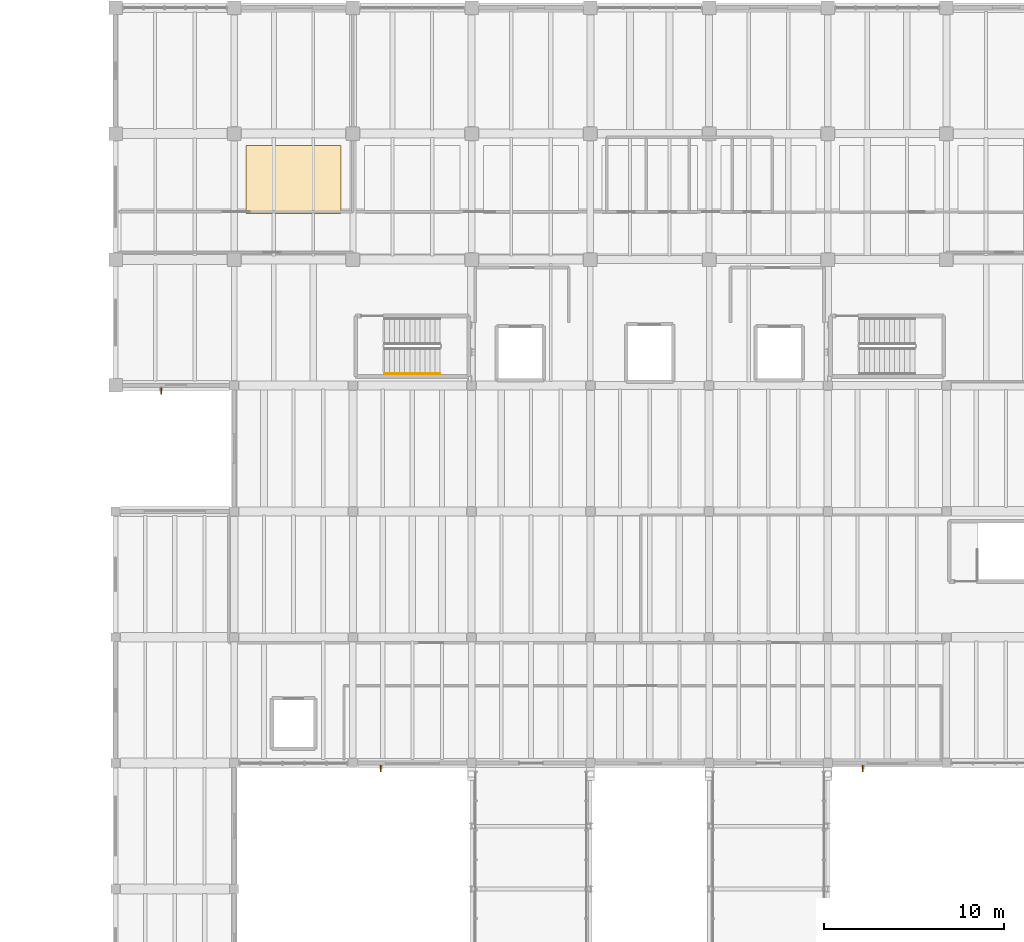
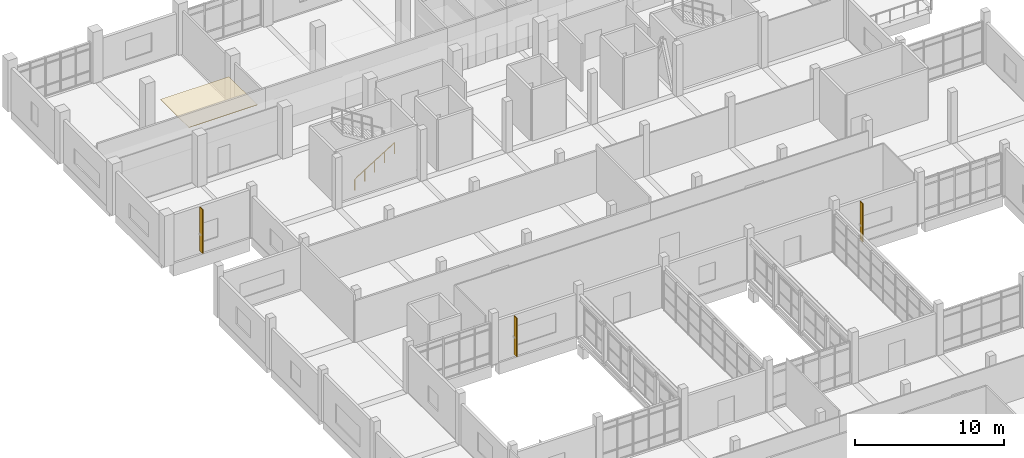
# One storey, part 62 of 65: 3 shading devices, 1 covering, 1 railing.
"""IFC4 building model written with IfcOpenShell, lengths in metres."""

import ifcopenshell
import ifcopenshell.guid

model = None  # the IFC model being written
_history = None  # IfcOwnerHistory: only IFC2X3 demands one
_inside = {}  # id of a spatial element -> (the spatial element, [elements in it])
_under = {}  # id of a project, library or spatial element -> (it, [spatial elements below it])
_declared = {}  # id of a project -> (the project, [libraries it declares])
_typed = {}  # id of a type object -> (the type object, [elements of that type])
_made_of = {}  # id of a material, layer set ... -> (it, [elements and type objects made of it])


def new_model(schema):
    """Start an empty IFC model of exactly this schema.

    Asked for "IFC4X3", IfcOpenShell would pick the latest addendum, in which some entities
    have other attributes; the version numbers below select the first issue.
    IFC2X3 requires an IfcOwnerHistory on every rooted entity: one is made here for all.
    """
    global model, _history
    if schema == "IFC4X3":
        model = ifcopenshell.file(schema_version=(4, 3, 0, 0))
    else:
        model = ifcopenshell.file(schema=schema)
    _inside.clear()
    _under.clear()
    _declared.clear()
    _typed.clear()
    _made_of.clear()
    _history = None
    if model.schema == "IFC2X3":
        org = make("IfcOrganization", Name="unknown")
        user = make(
            "IfcPersonAndOrganization",
            ThePerson=make("IfcPerson", FamilyName="unknown"),
            TheOrganization=org,
        )
        app = make(
            "IfcApplication",
            ApplicationDeveloper=org,
            Version="unknown",
            ApplicationFullName="unknown",
            ApplicationIdentifier="unknown",
        )
        _history = make(
            "IfcOwnerHistory",
            OwningUser=user,
            OwningApplication=app,
            ChangeAction="ADDED",
            CreationDate=0,
        )
    return model


def make(cls, **values):
    """One entity of the class cls with the attributes given. An attribute that is None is left unset."""
    return model.create_entity(
        cls, **{name: value for name, value in values.items() if value is not None}
    )


def rooted(cls, **values):
    """An entity with a GlobalId (a new one), such as an element, a storey or a relation."""
    return make(cls, GlobalId=ifcopenshell.guid.new(), OwnerHistory=_history, **values)


def si_unit(unit_type, name, prefix=None):
    """IfcSIUnit, for example si_unit("LENGTHUNIT", "METRE", prefix="MILLI")."""
    return make("IfcSIUnit", UnitType=unit_type, Prefix=prefix, Name=name)


def assignment(units):
    """IfcUnitAssignment: the units of a project."""
    return None if units is None else make("IfcUnitAssignment", Units=units)


def point(xyz):
    """IfcCartesianPoint."""
    return None if xyz is None else make("IfcCartesianPoint", Coordinates=xyz)


def direction(xyz):
    """IfcDirection."""
    return None if xyz is None else make("IfcDirection", DirectionRatios=xyz)


def frame(location, z_axis=None, x_axis=None):
    """IfcAxis2Placement3D, a coordinate frame: its origin and axes. An axis left out is left unset."""
    return make(
        "IfcAxis2Placement3D",
        Location=point(location),
        Axis=direction(z_axis),
        RefDirection=direction(x_axis),
    )


def frame_2d(location, x_axis=None):
    """IfcAxis2Placement2D, a coordinate frame in the plane: its origin and x axis."""
    return make(
        "IfcAxis2Placement2D", Location=point(location), RefDirection=direction(x_axis)
    )


def origin():
    """The frame at (0, 0, 0) with its axes left unset."""
    return frame((0.0, 0.0, 0.0))


def origin_2d():
    """The frame at (0, 0) in the plane with its x axis left unset."""
    return frame_2d((0.0, 0.0))


def place(relative_to, where):
    """IfcLocalPlacement: puts the frame where relative to a parent placement (None: the world)."""
    return make(
        "IfcLocalPlacement", PlacementRelTo=relative_to, RelativePlacement=where
    )


def context(
    kind, dimensions, precision=None, world=None, true_north=None, identifier=None
):
    """IfcGeometricRepresentationContext, for example the 3D "Model" context."""
    return make(
        "IfcGeometricRepresentationContext",
        ContextIdentifier=identifier,
        ContextType=kind,
        CoordinateSpaceDimension=dimensions,
        Precision=precision,
        WorldCoordinateSystem=world,
        TrueNorth=true_north,
    )


def subcontext(parent, identifier, kind, view, scale=None):
    """IfcGeometricRepresentationSubContext, for example "Body" below "Model"."""
    return make(
        "IfcGeometricRepresentationSubContext",
        ContextIdentifier=identifier,
        ContextType=kind,
        ParentContext=parent,
        TargetScale=scale,
        TargetView=view,
    )


def project(units=None, contexts=None):
    """IfcProject with its units and contexts."""
    return rooted(
        "IfcProject",
        Name="project",
        RepresentationContexts=contexts,
        UnitsInContext=assignment(units),
    )


def spatial(cls, under=None, at=None, **own):
    """A site, building, storey or space (cls), placed at a placement, below another one or the project."""
    s = rooted(cls, ObjectPlacement=at, **own)
    if under is not None:
        _under.setdefault(under.id(), (under, []))[1].append(s)
    return s


def polyline(points):
    """IfcPolyline through the points."""
    return make("IfcPolyline", Points=[point(p) for p in points])


def profile(cls, at=None, kind="AREA", **sizes):
    """A parametric profile (cls). Its sizes go by their IFC names, for example OverallWidth=200.0."""
    return make(cls, ProfileType=kind, Position=at, **sizes)


def rectangle(**sizes):
    """IfcRectangleProfileDef."""
    return profile("IfcRectangleProfileDef", **sizes)


def circle(**sizes):
    """IfcCircleProfileDef."""
    return profile("IfcCircleProfileDef", **sizes)


def outline(outer, holes=None, kind="AREA"):
    """IfcArbitraryClosedProfileDef: a profile drawn as a closed curve; with holes, ...WithVoids."""
    if holes is None:
        return make("IfcArbitraryClosedProfileDef", ProfileType=kind, OuterCurve=outer)
    return make(
        "IfcArbitraryProfileDefWithVoids",
        ProfileType=kind,
        OuterCurve=outer,
        InnerCurves=holes,
    )


def extrude(swept, where, along, depth):
    """IfcExtrudedAreaSolid: the profile swept, set in the frame where, extruded along a direction by depth."""
    return make(
        "IfcExtrudedAreaSolid",
        SweptArea=swept,
        Position=where,
        ExtrudedDirection=direction(along),
        Depth=depth,
    )


def shape(context_of_items, identifier, shape_type, items):
    """IfcShapeRepresentation: the items that make up one representation, for example the "Body"."""
    return make(
        "IfcShapeRepresentation",
        ContextOfItems=context_of_items,
        RepresentationIdentifier=identifier,
        RepresentationType=shape_type,
        Items=items,
    )


def material(Name=None, Category=None):
    """IfcMaterial."""
    return make("IfcMaterial", Name=Name, Category=Category)


def layer(
    of_material, thickness, ventilated=None, Name=None, Category=None, Priority=None
):
    """IfcMaterialLayer: one layer of a wall or slab, of a material (None: an air gap)."""
    return make(
        "IfcMaterialLayer",
        Material=of_material,
        LayerThickness=thickness,
        IsVentilated=ventilated,
        Name=Name,
        Category=Category,
        Priority=Priority,
    )


def layer_set(layers, Name=None):
    """IfcMaterialLayerSet."""
    return make("IfcMaterialLayerSet", MaterialLayers=layers, LayerSetName=Name)


def material_profile(
    of_material, cross_section, Name=None, Category=None, Priority=None
):
    """IfcMaterialProfile: a cross section and its material."""
    return make(
        "IfcMaterialProfile",
        Name=Name,
        Material=of_material,
        Profile=cross_section,
        Priority=Priority,
        Category=Category,
    )


def profile_set(profiles, Name=None, composite=None):
    """IfcMaterialProfileSet."""
    return make(
        "IfcMaterialProfileSet",
        Name=Name,
        MaterialProfiles=profiles,
        CompositeProfile=composite,
    )


def made_of(thing, what):
    """Note that an element or type object is made of a material, layer set ...; save() writes the relation."""
    if what is not None:
        _made_of.setdefault(what.id(), (what, []))[1].append(thing)
    return thing


def type_object(cls, material=None, **own):
    """A type object (cls), such as IfcWallType, which elements share."""
    return made_of(rooted(cls, **own), material)


def element(
    cls,
    number,
    at=None,
    inside=None,
    cuts=None,
    type_object=None,
    material=None,
    context=None,
    identifier="Body",
    shape_type=None,
    held_by="IfcProductDefinitionShape",
    body=None,
    shapes=None,
    **own,
):
    """One element of the class cls, such as IfcWall. Its Tag is "e" and its number.

    at: its placement. inside: the storey or other place that contains it. cuts: it is an
    opening in that element (IfcRelVoidsElement). A single representation is given by context,
    identifier, shape_type and body (its items); several are given by shapes. held_by: the class
    of the entity that holds the representations. save() writes the other relations.
    """
    e = rooted(cls, Tag="e%d" % number, ObjectPlacement=at, **own)
    if body is not None:
        shapes = [shape(context, identifier, shape_type, body)]
    if shapes is not None:
        e.Representation = make(held_by, Representations=shapes)
    if inside is not None:
        _inside.setdefault(inside.id(), (inside, []))[1].append(e)
    if cuts is not None:
        rooted(
            "IfcRelVoidsElement", RelatingBuildingElement=cuts, RelatedOpeningElement=e
        )
    if type_object is not None:
        _typed.setdefault(type_object.id(), (type_object, []))[1].append(e)
    return made_of(e, material)


def aggregate(whole, parts):
    """IfcRelAggregates: a whole, such as a stair, and the parts it consists of."""
    return rooted("IfcRelAggregates", RelatingObject=whole, RelatedObjects=parts)


def save(model, path):
    """Write the relations noted so far, then the file.

    IfcRelAggregates (storeys below a building ...), IfcRelContainedInSpatialStructure (elements
    in a storey), IfcRelDefinesByType, IfcRelAssociatesMaterial and IfcRelDeclares: one each for
    every whole, place, type object, material and project.
    """
    for whole, parts in _under.values():
        aggregate(whole, parts)
    for where, things in _inside.values():
        rooted(
            "IfcRelContainedInSpatialStructure",
            RelatedElements=things,
            RelatingStructure=where,
        )
    for kind, things in _typed.values():
        rooted("IfcRelDefinesByType", RelatedObjects=things, RelatingType=kind)
    for what, things in _made_of.values():
        rooted("IfcRelAssociatesMaterial", RelatedObjects=things, RelatingMaterial=what)
    for by, libraries in _declared.values():
        rooted("IfcRelDeclares", RelatingContext=by, RelatedDefinitions=libraries)
    model.write(path)


model = new_model("IFC4")

# Units and contexts
model_context = context("Model", 3, precision=1e-05, world=origin(), true_north=direction((0.0, 1.0)))
body_context = subcontext(model_context, "Body", "Model", "MODEL_VIEW")
ifc_project = project(units=[si_unit("LENGTHUNIT", "METRE"), si_unit("AREAUNIT", "SQUARE_METRE"), si_unit("VOLUMEUNIT", "CUBIC_METRE"), si_unit("PLANEANGLEUNIT", "RADIAN"), si_unit("MASSUNIT", "GRAM", prefix="KILO")], contexts=[model_context])

# Site, building, storey
site_placement = place(None, origin())
site = spatial("IfcSite", under=ifc_project, at=site_placement, CompositionType="ELEMENT")
building_placement = place(site_placement, origin())
building = spatial("IfcBuilding", under=site, at=building_placement, Name="Ciguamira Faculty of Natural Sciences", CompositionType="ELEMENT")
storey_placement = place(building_placement, frame((0.0, 0.0, 12.60009765625)))
storey = spatial("IfcBuildingStorey", under=building, at=storey_placement, Name="L03", CompositionType="ELEMENT", Elevation=12.60009765625)

# Covering
ifc_material_1 = material(Name="Perforated white acoustic ceiling")
ifc_layer = layer(ifc_material_1, 0.0400390625, Name="Perforated white acoustic ceiling")
ifc_layer_set = layer_set([ifc_layer], Name="Perforated white acoustic ceiling")
covering_type = type_object("IfcCoveringType", Name="AcousticCeiling_AC01", PredefinedType="CEILING", material=ifc_layer_set)
covering_placement = place(storey_placement, frame((0.0, 0.0, 2.760009765625)))
element("IfcCovering", 1, at=covering_placement, inside=storey, type_object=covering_type, Name="L03 research bay 01 acoustic ceiling", PredefinedType="CEILING", context=body_context, shape_type="SweptSolid", body=[
    extrude(outline(polyline([(64.550048828125, 103.550048828125), (69.85009765625, 103.550048828125), (69.85009765625, 107.35009765625), (64.550048828125, 107.35009765625), (64.550048828125, 103.550048828125)])), origin(), (0.0, 0.0, 1.0), 0.039794921875),
])

# Railing
ifc_material_2 = material(Name="Stainless steel handrail", Category="steel")
railing_type = type_object("IfcRailingType", Name="Handrail_HR01", PredefinedType="HANDRAIL", material=ifc_material_2)
railing_placement = place(storey_placement, frame((72.260009765625, 94.64990234375, 0.349853515625)))
element("IfcRailing", 2, at=railing_placement, inside=storey, type_object=railing_type, Name="L03 ST-T1 stair handrail 1", PredefinedType="HANDRAIL", context=body_context, shape_type="SweptSolid", body=[
    extrude(circle(Radius=0.02392578125, at=origin_2d()), frame((0.0, 0.0, 0.89111328125), z_axis=(0.847998304005, 0.0, 0.529998940003), x_axis=(0.0, 1.0, 0.0)), (0.0, 0.0, 1.0), 3.632080078125),
    extrude(circle(Radius=0.02099609375, at=origin_2d()), origin(), (0.0, 0.0, 1.0), 0.866943359375),
    extrude(circle(Radius=0.02099609375, at=origin_2d()), frame((0.77001953125, 0.0, 0.481201171875)), (0.0, 0.0, 1.0), 0.866943359375),
    extrude(circle(Radius=0.02099609375, at=origin_2d()), frame((1.5400390625, 0.0, 0.96240234375)), (0.0, 0.0, 1.0), 0.866943359375),
    extrude(circle(Radius=0.02099609375, at=origin_2d()), frame((2.31005859375, 0.0, 1.44384765625)), (0.0, 0.0, 1.0), 0.866943359375),
    extrude(circle(Radius=0.02099609375, at=origin_2d()), frame((3.080078125, 0.0, 1.925048828125)), (0.0, 0.0, 1.0), 0.866943359375),
])

# Shading devices
ifc_material_3 = material(Name="Anodized bronze sunshade fin")
ifc_material_profile = material_profile(ifc_material_3, rectangle(XDim=0.06494140625, YDim=0.3798828125, at=origin_2d()), Name="BRZ-FIN-65X380")
ifc_profile_set = profile_set([ifc_material_profile], Name="Anodized bronze sunshade fin")
shading_device_type = type_object("IfcShadingDeviceType", Name="SunFin_SF01", PredefinedType="USERDEFINED", material=ifc_profile_set)
for number, where, z_axis, x_axis, name in (
    (3, (72.050048828125, 72.699951171875, 0.199951171875), (0.0, 0.0, 1.0), (1.0, 0.0, 0.0), "L03 bronze vertical sunshade fin 0025"),
    (4, (98.85009765625, 72.699951171875, 0.199951171875), (0.0, 0.0, 1.0), (1.0, 0.0, 0.0), "L03 bronze vertical sunshade fin 0026"),
):
    element("IfcShadingDevice", number, at=place(storey_placement, frame(where, z_axis=z_axis, x_axis=x_axis)), inside=storey, type_object=shading_device_type, Name=name, ObjectType="SUNSHADE FIN", PredefinedType="USERDEFINED", context=body_context, shape_type="SweptSolid", body=[
        extrude(rectangle(XDim=0.06494140625, YDim=0.3798828125, at=origin_2d()), origin(), (0.0, 0.0, 1.0), 3.155029296875),
    ])
shading_device_placement = place(storey_placement, frame((59.83740234375, 93.68994140625, 0.199951171875), z_axis=(0.0, 0.0, 1.0), x_axis=(1.0, 0.0, 0.0)))
element("IfcShadingDevice", 5, at=shading_device_placement, inside=storey, type_object=shading_device_type, Name="L03 bronze vertical sunshade fin 0027", ObjectType="SUNSHADE FIN", PredefinedType="USERDEFINED", context=body_context, shape_type="SweptSolid", body=[
    extrude(rectangle(XDim=0.06494140625, YDim=0.3798828125, at=origin_2d()), origin(), (0.0, 0.0, 1.0), 3.599853515625),
])

save(model, "model.ifc")
